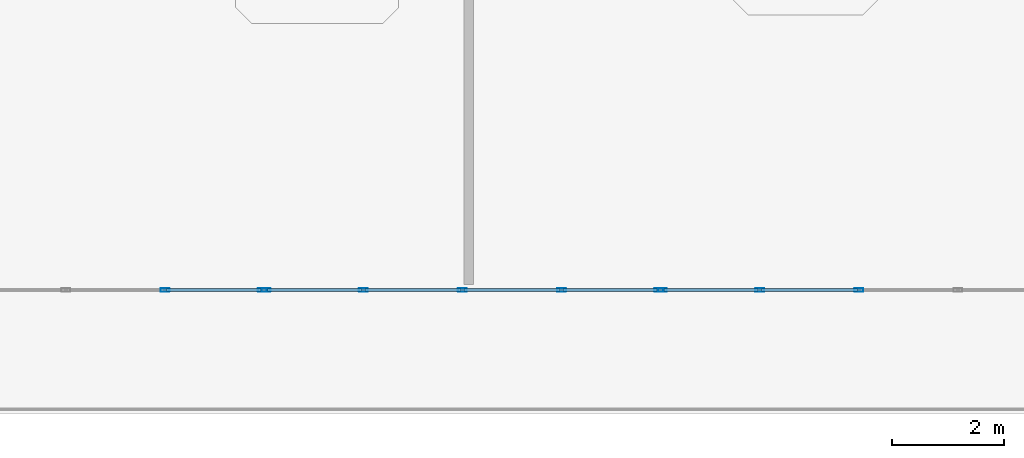
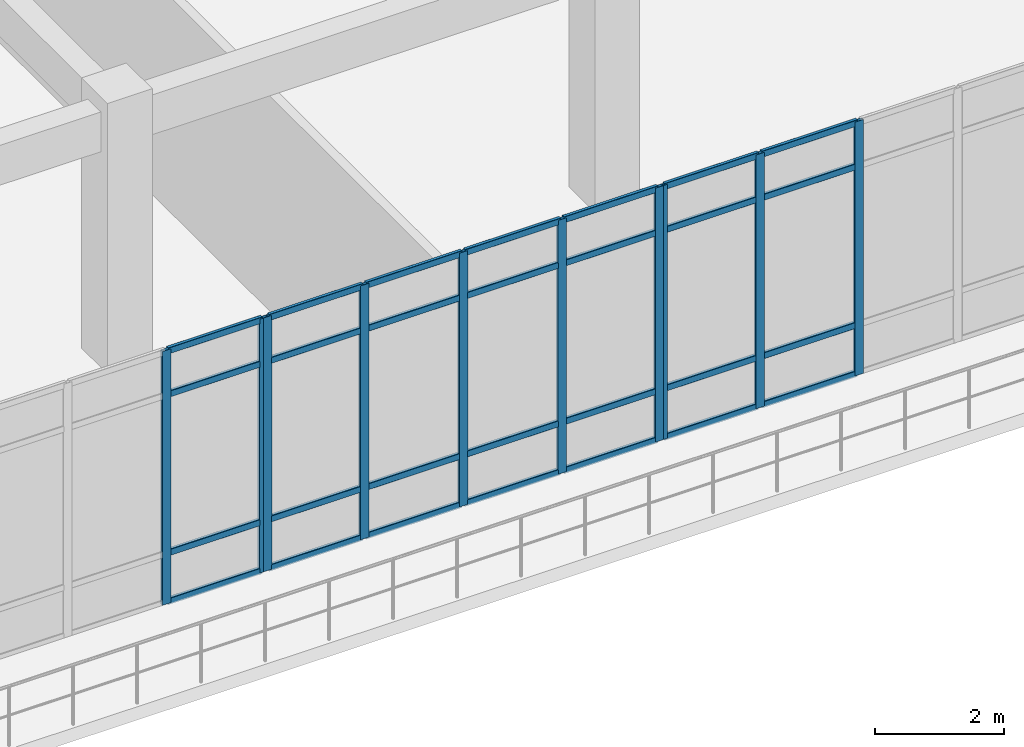
# One storey, part 10 of 124: 38 members, 3 elements without a shape of their own.
"""IFC4 building model written with IfcOpenShell, lengths in metres."""

from ifc_helpers import new_model, si_unit, derived_unit, direction, frame, origin, origin_2d, place, context, subcontext, project, spatial, hollow_rectangle, extrude, material, layer, layer_set, material_profile, profile_set, type_object, element, aggregate, save


model = new_model("IFC4")

# Units and contexts
model_context = context("Model", 3, precision=1e-05, world=origin(), true_north=direction((0.0, 1.0)))
body_context = subcontext(model_context, "Body", "Model", "MODEL_VIEW")
ifc_project = project(units=[si_unit("LENGTHUNIT", "METRE"), si_unit("AREAUNIT", "SQUARE_METRE"), si_unit("VOLUMEUNIT", "CUBIC_METRE"), si_unit("PLANEANGLEUNIT", "RADIAN"), si_unit("MASSUNIT", "GRAM", prefix="KILO"), derived_unit("THERMALTRANSMITTANCEUNIT", [(si_unit("MASSUNIT", "GRAM", prefix="KILO"), 1), (si_unit("TIMEUNIT", "SECOND"), -3), (si_unit("THERMODYNAMICTEMPERATUREUNIT", "KELVIN"), -1)])], contexts=[model_context])

# Site, building, storey
site_placement = place(None, origin())
site = spatial("IfcSite", under=ifc_project, at=site_placement, CompositionType="ELEMENT")
building_placement = place(site_placement, origin())
building = spatial("IfcBuilding", under=site, at=building_placement, Name="Qinzheling Arcade Emporium", CompositionType="ELEMENT")
storey_placement = place(building_placement, frame((0.0, 0.0, 16.5)))
storey = spatial("IfcBuildingStorey", under=building, at=storey_placement, Name="L04", CompositionType="ELEMENT", Elevation=16.5)

# Curtain wall, members
ifc_material_1 = material(Name="Anodised aluminium and solar-control double glazing", Category="aluminium")
ifc_layer = layer(ifc_material_1, 0.159912109375, Name="Anodised aluminium and solar-control double glazing", Category="aluminium")
ifc_layer_set = layer_set([ifc_layer], Name="Anodised aluminium and solar-control double glazing")
curtain_wall_type = type_object("IfcCurtainWallType", Name="Arcade Portal Glazed Curtain Wall", PredefinedType="NOTDEFINED", material=ifc_layer_set)
curtain_wall_1_placement = place(storey_placement, origin())
curtain_wall_1 = element("IfcCurtainWall", 1, at=curtain_wall_1_placement, inside=storey, type_object=curtain_wall_type, Name="Curtain Wall CW-L04-222", PredefinedType="NOTDEFINED")
ifc_material_2 = material(Name="Anodised aluminium 6063-T6", Category="aluminium")
ifc_material_profile_1 = material_profile(ifc_material_2, hollow_rectangle(XDim=0.06005859375, YDim=0.159912109375, WallThickness=0.00390625, InnerFilletRadius=0.00390625, OuterFilletRadius=0.008056640625, at=origin_2d()), Name="RHS 160x60x4", Category="aluminium")
ifc_profile_set_1 = profile_set([ifc_material_profile_1], Name="Anodised aluminium 6063-T6")
member_type_1 = type_object("IfcMemberType", Name="Curtain Wall Mullion RHS160x60", PredefinedType="MULLION", material=ifc_profile_set_1)
member_1_placement = place(storey_placement, frame((44.449951171875, 2.199951171875, 0.0), z_axis=(0.0, 0.0, 1.0), x_axis=(0.0, -1.0, 0.0)))
member_1 = element("IfcMember", 2, at=member_1_placement, type_object=member_type_1, Name="CW05 mullion 3", PredefinedType="MULLION", context=body_context, shape_type="SweptSolid", body=[
    extrude(hollow_rectangle(XDim=0.06005859375, YDim=0.159912109375, WallThickness=0.00390625, InnerFilletRadius=0.00390625, OuterFilletRadius=0.008056640625, at=origin_2d()), origin(), (0.0, 0.0, 1.0), 4.7900390625),
])
member_2_placement = place(storey_placement, frame((42.68603515625, 2.199951171875, 0.0), z_axis=(0.0, 0.0, 1.0), x_axis=(0.0, -1.0, 0.0)))
member_2 = element("IfcMember", 3, at=member_2_placement, type_object=member_type_1, Name="CW05 mullion 4", PredefinedType="MULLION", context=body_context, shape_type="SweptSolid", body=[
    extrude(hollow_rectangle(XDim=0.06005859375, YDim=0.159912109375, WallThickness=0.00390625, InnerFilletRadius=0.00390625, OuterFilletRadius=0.008056640625, at=origin_2d()), origin(), (0.0, 0.0, 1.0), 4.7900390625),
])
member_3_placement = place(storey_placement, frame((40.951904296875, 2.199951171875, 0.0), z_axis=(0.0, 0.0, 1.0), x_axis=(0.0, -1.0, 0.0)))
member_3 = element("IfcMember", 4, at=member_3_placement, type_object=member_type_1, Name="CW05 mullion 5", PredefinedType="MULLION", context=body_context, shape_type="SweptSolid", body=[
    extrude(hollow_rectangle(XDim=0.06005859375, YDim=0.159912109375, WallThickness=0.00390625, InnerFilletRadius=0.00390625, OuterFilletRadius=0.008056640625, at=origin_2d()), origin(), (0.0, 0.0, 1.0), 4.7900390625),
])

curtain_wall_2_placement = place(storey_placement, origin())
curtain_wall_2 = element("IfcCurtainWall", 5, at=curtain_wall_2_placement, inside=storey, type_object=curtain_wall_type, Name="Curtain Wall CW-L04-223", PredefinedType="NOTDEFINED")
member_4_placement = place(storey_placement, frame((40.887939453125, 2.199951171875, 0.0), z_axis=(0.0, 0.0, 1.0), x_axis=(0.0, -1.0, 0.0)))
member_4 = element("IfcMember", 6, at=member_4_placement, type_object=member_type_1, Name="CW05 mullion 1", PredefinedType="MULLION", context=body_context, shape_type="SweptSolid", body=[
    extrude(hollow_rectangle(XDim=0.06005859375, YDim=0.159912109375, WallThickness=0.00390625, InnerFilletRadius=0.00390625, OuterFilletRadius=0.008056640625, at=origin_2d()), origin(), (0.0, 0.0, 1.0), 4.7900390625),
])
member_5_placement = place(storey_placement, frame((39.154052734375, 2.199951171875, 0.0), z_axis=(0.0, 0.0, 1.0), x_axis=(0.0, -1.0, 0.0)))
member_5 = element("IfcMember", 7, at=member_5_placement, type_object=member_type_1, Name="CW05 mullion 2", PredefinedType="MULLION", context=body_context, shape_type="SweptSolid", body=[
    extrude(hollow_rectangle(XDim=0.06005859375, YDim=0.159912109375, WallThickness=0.00390625, InnerFilletRadius=0.00390625, OuterFilletRadius=0.008056640625, at=origin_2d()), origin(), (0.0, 0.0, 1.0), 4.7900390625),
])
member_6_placement = place(storey_placement, frame((37.389892578125, 2.199951171875, 0.0), z_axis=(0.0, 0.0, 1.0), x_axis=(0.0, -1.0, 0.0)))
member_6 = element("IfcMember", 8, at=member_6_placement, type_object=member_type_1, Name="CW05 mullion 3", PredefinedType="MULLION", context=body_context, shape_type="SweptSolid", body=[
    extrude(hollow_rectangle(XDim=0.06005859375, YDim=0.159912109375, WallThickness=0.00390625, InnerFilletRadius=0.00390625, OuterFilletRadius=0.008056640625, at=origin_2d()), origin(), (0.0, 0.0, 1.0), 4.7900390625),
])
member_7_placement = place(storey_placement, frame((35.6259765625, 2.199951171875, 0.0), z_axis=(0.0, 0.0, 1.0), x_axis=(0.0, -1.0, 0.0)))
member_7 = element("IfcMember", 9, at=member_7_placement, type_object=member_type_1, Name="CW05 mullion 4", PredefinedType="MULLION", context=body_context, shape_type="SweptSolid", body=[
    extrude(hollow_rectangle(XDim=0.06005859375, YDim=0.159912109375, WallThickness=0.00390625, InnerFilletRadius=0.00390625, OuterFilletRadius=0.008056640625, at=origin_2d()), origin(), (0.0, 0.0, 1.0), 4.7900390625),
])
member_8_placement = place(storey_placement, frame((33.89208984375, 2.199951171875, 0.0), z_axis=(0.0, 0.0, 1.0), x_axis=(0.0, -1.0, 0.0)))
member_8 = element("IfcMember", 10, at=member_8_placement, type_object=member_type_1, Name="CW05 mullion 5", PredefinedType="MULLION", context=body_context, shape_type="SweptSolid", body=[
    extrude(hollow_rectangle(XDim=0.06005859375, YDim=0.159912109375, WallThickness=0.00390625, InnerFilletRadius=0.00390625, OuterFilletRadius=0.008056640625, at=origin_2d()), origin(), (0.0, 0.0, 1.0), 4.7900390625),
])

curtain_wall_3_placement = place(storey_placement, origin())
curtain_wall_3 = element("IfcCurtainWall", 11, at=curtain_wall_3_placement, inside=storey, type_object=curtain_wall_type, Name="Curtain Wall CW-L04-224", PredefinedType="NOTDEFINED")
member_9_placement = place(storey_placement, frame((33.827880859375, 2.199951171875, 0.0), z_axis=(0.0, 0.0, 1.0), x_axis=(0.0, -1.0, 0.0)))
member_9 = element("IfcMember", 12, at=member_9_placement, type_object=member_type_1, Name="CW05 mullion 1", PredefinedType="MULLION", context=body_context, shape_type="SweptSolid", body=[
    extrude(hollow_rectangle(XDim=0.06005859375, YDim=0.159912109375, WallThickness=0.00390625, InnerFilletRadius=0.00390625, OuterFilletRadius=0.008056640625, at=origin_2d()), origin(), (0.0, 0.0, 1.0), 4.7900390625),
])
member_10_placement = place(storey_placement, frame((32.093505859375, 2.199951171875, 0.0), z_axis=(0.0, 0.0, 1.0), x_axis=(0.0, -1.0, 0.0)))
member_10 = element("IfcMember", 13, at=member_10_placement, type_object=member_type_1, Name="CW05 mullion 2", PredefinedType="MULLION", context=body_context, shape_type="SweptSolid", body=[
    extrude(hollow_rectangle(XDim=0.06005859375, YDim=0.159912109375, WallThickness=0.00390625, InnerFilletRadius=0.00390625, OuterFilletRadius=0.008056640625, at=origin_2d()), origin(), (0.0, 0.0, 1.0), 4.7900390625),
])

# Member
ifc_material_profile_2 = material_profile(ifc_material_2, hollow_rectangle(XDim=0.06005859375, YDim=0.1201171875, WallThickness=0.00390625, InnerFilletRadius=0.00390625, OuterFilletRadius=0.008056640625, at=origin_2d()), Name="RHS 120x60x4", Category="aluminium")
ifc_profile_set_2 = profile_set([ifc_material_profile_2], Name="Anodised aluminium 6063-T6")
member_type_2 = type_object("IfcMemberType", Name="Curtain Wall Transom RHS120x60", PredefinedType="USERDEFINED", material=ifc_profile_set_2)
member_11_placement = place(storey_placement, frame((44.419921875, 2.199951171875, 0.030029296875), z_axis=(-1.0, 0.0, 0.0), x_axis=(0.0, -1.0, 0.0)))
member_11 = element("IfcMember", 14, at=member_11_placement, type_object=member_type_2, Name="CW05 transom 3.1", ObjectType="TRANSOM", PredefinedType="USERDEFINED", context=body_context, shape_type="SweptSolid", body=[
    extrude(hollow_rectangle(XDim=0.06005859375, YDim=0.1201171875, WallThickness=0.00390625, InnerFilletRadius=0.00390625, OuterFilletRadius=0.008056640625, at=origin_2d()), origin(), (0.0, 0.0, 1.0), 1.703857421875),
])

member_12_placement = place(storey_placement, frame((44.419921875, 2.199951171875, 0.949951171875), z_axis=(-1.0, 0.0, 0.0), x_axis=(0.0, -1.0, 0.0)))
member_12 = element("IfcMember", 15, at=member_12_placement, type_object=member_type_2, Name="CW05 transom 3.2", ObjectType="TRANSOM", PredefinedType="USERDEFINED", context=body_context, shape_type="SweptSolid", body=[
    extrude(hollow_rectangle(XDim=0.06005859375, YDim=0.1201171875, WallThickness=0.00390625, InnerFilletRadius=0.00390625, OuterFilletRadius=0.008056640625, at=origin_2d()), origin(), (0.0, 0.0, 1.0), 1.703857421875),
])

member_13_placement = place(storey_placement, frame((44.419921875, 2.199951171875, 3.93994140625), z_axis=(-1.0, 0.0, 0.0), x_axis=(0.0, -1.0, 0.0)))
member_13 = element("IfcMember", 16, at=member_13_placement, type_object=member_type_2, Name="CW05 transom 3.3", ObjectType="TRANSOM", PredefinedType="USERDEFINED", context=body_context, shape_type="SweptSolid", body=[
    extrude(hollow_rectangle(XDim=0.06005859375, YDim=0.1201171875, WallThickness=0.00390625, InnerFilletRadius=0.00390625, OuterFilletRadius=0.008056640625, at=origin_2d()), origin(), (0.0, 0.0, 1.0), 1.703857421875),
])

member_14_placement = place(storey_placement, frame((44.419921875, 2.199951171875, 4.760009765625), z_axis=(-1.0, 0.0, 0.0), x_axis=(0.0, -1.0, 0.0)))
member_14 = element("IfcMember", 17, at=member_14_placement, type_object=member_type_2, Name="CW05 transom 3.4", ObjectType="TRANSOM", PredefinedType="USERDEFINED", context=body_context, shape_type="SweptSolid", body=[
    extrude(hollow_rectangle(XDim=0.06005859375, YDim=0.1201171875, WallThickness=0.00390625, InnerFilletRadius=0.00390625, OuterFilletRadius=0.008056640625, at=origin_2d()), origin(), (0.0, 0.0, 1.0), 1.703857421875),
])

member_15_placement = place(storey_placement, frame((42.656005859375, 2.199951171875, 0.030029296875), z_axis=(-1.0, 0.0, 0.0), x_axis=(0.0, -1.0, 0.0)))
member_15 = element("IfcMember", 18, at=member_15_placement, type_object=member_type_2, Name="CW05 transom 4.1", ObjectType="TRANSOM", PredefinedType="USERDEFINED", context=body_context, shape_type="SweptSolid", body=[
    extrude(hollow_rectangle(XDim=0.06005859375, YDim=0.1201171875, WallThickness=0.00390625, InnerFilletRadius=0.00390625, OuterFilletRadius=0.008056640625, at=origin_2d()), origin(), (0.0, 0.0, 1.0), 1.674072265625),
])

member_16_placement = place(storey_placement, frame((42.656005859375, 2.199951171875, 0.949951171875), z_axis=(-1.0, 0.0, 0.0), x_axis=(0.0, -1.0, 0.0)))
member_16 = element("IfcMember", 19, at=member_16_placement, type_object=member_type_2, Name="CW05 transom 4.2", ObjectType="TRANSOM", PredefinedType="USERDEFINED", context=body_context, shape_type="SweptSolid", body=[
    extrude(hollow_rectangle(XDim=0.06005859375, YDim=0.1201171875, WallThickness=0.00390625, InnerFilletRadius=0.00390625, OuterFilletRadius=0.008056640625, at=origin_2d()), origin(), (0.0, 0.0, 1.0), 1.674072265625),
])

member_17_placement = place(storey_placement, frame((42.656005859375, 2.199951171875, 3.93994140625), z_axis=(-1.0, 0.0, 0.0), x_axis=(0.0, -1.0, 0.0)))
member_17 = element("IfcMember", 20, at=member_17_placement, type_object=member_type_2, Name="CW05 transom 4.3", ObjectType="TRANSOM", PredefinedType="USERDEFINED", context=body_context, shape_type="SweptSolid", body=[
    extrude(hollow_rectangle(XDim=0.06005859375, YDim=0.1201171875, WallThickness=0.00390625, InnerFilletRadius=0.00390625, OuterFilletRadius=0.008056640625, at=origin_2d()), origin(), (0.0, 0.0, 1.0), 1.674072265625),
])

member_18_placement = place(storey_placement, frame((42.656005859375, 2.199951171875, 4.760009765625), z_axis=(-1.0, 0.0, 0.0), x_axis=(0.0, -1.0, 0.0)))
member_18 = element("IfcMember", 21, at=member_18_placement, type_object=member_type_2, Name="CW05 transom 4.4", ObjectType="TRANSOM", PredefinedType="USERDEFINED", context=body_context, shape_type="SweptSolid", body=[
    extrude(hollow_rectangle(XDim=0.06005859375, YDim=0.1201171875, WallThickness=0.00390625, InnerFilletRadius=0.00390625, OuterFilletRadius=0.008056640625, at=origin_2d()), origin(), (0.0, 0.0, 1.0), 1.674072265625),
])

aggregate(curtain_wall_1, [member_1, member_2, member_3, member_11, member_12, member_13, member_14, member_15, member_16, member_17, member_18])

member_19_placement = place(storey_placement, frame((40.85791015625, 2.199951171875, 0.030029296875), z_axis=(-1.0, 0.0, 0.0), x_axis=(0.0, -1.0, 0.0)))
member_19 = element("IfcMember", 22, at=member_19_placement, type_object=member_type_2, Name="CW05 transom 1.1", ObjectType="TRANSOM", PredefinedType="USERDEFINED", context=body_context, shape_type="SweptSolid", body=[
    extrude(hollow_rectangle(XDim=0.06005859375, YDim=0.1201171875, WallThickness=0.00390625, InnerFilletRadius=0.00390625, OuterFilletRadius=0.008056640625, at=origin_2d()), origin(), (0.0, 0.0, 1.0), 1.673828125),
])

member_20_placement = place(storey_placement, frame((40.85791015625, 2.199951171875, 0.949951171875), z_axis=(-1.0, 0.0, 0.0), x_axis=(0.0, -1.0, 0.0)))
member_20 = element("IfcMember", 23, at=member_20_placement, type_object=member_type_2, Name="CW05 transom 1.2", ObjectType="TRANSOM", PredefinedType="USERDEFINED", context=body_context, shape_type="SweptSolid", body=[
    extrude(hollow_rectangle(XDim=0.06005859375, YDim=0.1201171875, WallThickness=0.00390625, InnerFilletRadius=0.00390625, OuterFilletRadius=0.008056640625, at=origin_2d()), origin(), (0.0, 0.0, 1.0), 1.673828125),
])

member_21_placement = place(storey_placement, frame((40.85791015625, 2.199951171875, 3.93994140625), z_axis=(-1.0, 0.0, 0.0), x_axis=(0.0, -1.0, 0.0)))
member_21 = element("IfcMember", 24, at=member_21_placement, type_object=member_type_2, Name="CW05 transom 1.3", ObjectType="TRANSOM", PredefinedType="USERDEFINED", context=body_context, shape_type="SweptSolid", body=[
    extrude(hollow_rectangle(XDim=0.06005859375, YDim=0.1201171875, WallThickness=0.00390625, InnerFilletRadius=0.00390625, OuterFilletRadius=0.008056640625, at=origin_2d()), origin(), (0.0, 0.0, 1.0), 1.673828125),
])

member_22_placement = place(storey_placement, frame((40.85791015625, 2.199951171875, 4.760009765625), z_axis=(-1.0, 0.0, 0.0), x_axis=(0.0, -1.0, 0.0)))
member_22 = element("IfcMember", 25, at=member_22_placement, type_object=member_type_2, Name="CW05 transom 1.4", ObjectType="TRANSOM", PredefinedType="USERDEFINED", context=body_context, shape_type="SweptSolid", body=[
    extrude(hollow_rectangle(XDim=0.06005859375, YDim=0.1201171875, WallThickness=0.00390625, InnerFilletRadius=0.00390625, OuterFilletRadius=0.008056640625, at=origin_2d()), origin(), (0.0, 0.0, 1.0), 1.673828125),
])

member_23_placement = place(storey_placement, frame((39.1240234375, 2.199951171875, 0.030029296875), z_axis=(-1.0, 0.0, 0.0), x_axis=(0.0, -1.0, 0.0)))
member_23 = element("IfcMember", 26, at=member_23_placement, type_object=member_type_2, Name="CW05 transom 2.1", ObjectType="TRANSOM", PredefinedType="USERDEFINED", context=body_context, shape_type="SweptSolid", body=[
    extrude(hollow_rectangle(XDim=0.06005859375, YDim=0.1201171875, WallThickness=0.00390625, InnerFilletRadius=0.00390625, OuterFilletRadius=0.008056640625, at=origin_2d()), origin(), (0.0, 0.0, 1.0), 1.7041015625),
])

member_24_placement = place(storey_placement, frame((39.1240234375, 2.199951171875, 0.949951171875), z_axis=(-1.0, 0.0, 0.0), x_axis=(0.0, -1.0, 0.0)))
member_24 = element("IfcMember", 27, at=member_24_placement, type_object=member_type_2, Name="CW05 transom 2.2", ObjectType="TRANSOM", PredefinedType="USERDEFINED", context=body_context, shape_type="SweptSolid", body=[
    extrude(hollow_rectangle(XDim=0.06005859375, YDim=0.1201171875, WallThickness=0.00390625, InnerFilletRadius=0.00390625, OuterFilletRadius=0.008056640625, at=origin_2d()), origin(), (0.0, 0.0, 1.0), 1.7041015625),
])

member_25_placement = place(storey_placement, frame((39.1240234375, 2.199951171875, 3.93994140625), z_axis=(-1.0, 0.0, 0.0), x_axis=(0.0, -1.0, 0.0)))
member_25 = element("IfcMember", 28, at=member_25_placement, type_object=member_type_2, Name="CW05 transom 2.3", ObjectType="TRANSOM", PredefinedType="USERDEFINED", context=body_context, shape_type="SweptSolid", body=[
    extrude(hollow_rectangle(XDim=0.06005859375, YDim=0.1201171875, WallThickness=0.00390625, InnerFilletRadius=0.00390625, OuterFilletRadius=0.008056640625, at=origin_2d()), origin(), (0.0, 0.0, 1.0), 1.7041015625),
])

member_26_placement = place(storey_placement, frame((39.1240234375, 2.199951171875, 4.760009765625), z_axis=(-1.0, 0.0, 0.0), x_axis=(0.0, -1.0, 0.0)))
member_26 = element("IfcMember", 29, at=member_26_placement, type_object=member_type_2, Name="CW05 transom 2.4", ObjectType="TRANSOM", PredefinedType="USERDEFINED", context=body_context, shape_type="SweptSolid", body=[
    extrude(hollow_rectangle(XDim=0.06005859375, YDim=0.1201171875, WallThickness=0.00390625, InnerFilletRadius=0.00390625, OuterFilletRadius=0.008056640625, at=origin_2d()), origin(), (0.0, 0.0, 1.0), 1.7041015625),
])

member_27_placement = place(storey_placement, frame((37.360107421875, 2.199951171875, 0.030029296875), z_axis=(-1.0, 0.0, 0.0), x_axis=(0.0, -1.0, 0.0)))
member_27 = element("IfcMember", 30, at=member_27_placement, type_object=member_type_2, Name="CW05 transom 3.1", ObjectType="TRANSOM", PredefinedType="USERDEFINED", context=body_context, shape_type="SweptSolid", body=[
    extrude(hollow_rectangle(XDim=0.06005859375, YDim=0.1201171875, WallThickness=0.00390625, InnerFilletRadius=0.00390625, OuterFilletRadius=0.008056640625, at=origin_2d()), origin(), (0.0, 0.0, 1.0), 1.7041015625),
])

member_28_placement = place(storey_placement, frame((37.360107421875, 2.199951171875, 0.949951171875), z_axis=(-1.0, 0.0, 0.0), x_axis=(0.0, -1.0, 0.0)))
member_28 = element("IfcMember", 31, at=member_28_placement, type_object=member_type_2, Name="CW05 transom 3.2", ObjectType="TRANSOM", PredefinedType="USERDEFINED", context=body_context, shape_type="SweptSolid", body=[
    extrude(hollow_rectangle(XDim=0.06005859375, YDim=0.1201171875, WallThickness=0.00390625, InnerFilletRadius=0.00390625, OuterFilletRadius=0.008056640625, at=origin_2d()), origin(), (0.0, 0.0, 1.0), 1.7041015625),
])

member_29_placement = place(storey_placement, frame((37.360107421875, 2.199951171875, 3.93994140625), z_axis=(-1.0, 0.0, 0.0), x_axis=(0.0, -1.0, 0.0)))
member_29 = element("IfcMember", 32, at=member_29_placement, type_object=member_type_2, Name="CW05 transom 3.3", ObjectType="TRANSOM", PredefinedType="USERDEFINED", context=body_context, shape_type="SweptSolid", body=[
    extrude(hollow_rectangle(XDim=0.06005859375, YDim=0.1201171875, WallThickness=0.00390625, InnerFilletRadius=0.00390625, OuterFilletRadius=0.008056640625, at=origin_2d()), origin(), (0.0, 0.0, 1.0), 1.7041015625),
])

member_30_placement = place(storey_placement, frame((37.360107421875, 2.199951171875, 4.760009765625), z_axis=(-1.0, 0.0, 0.0), x_axis=(0.0, -1.0, 0.0)))
member_30 = element("IfcMember", 33, at=member_30_placement, type_object=member_type_2, Name="CW05 transom 3.4", ObjectType="TRANSOM", PredefinedType="USERDEFINED", context=body_context, shape_type="SweptSolid", body=[
    extrude(hollow_rectangle(XDim=0.06005859375, YDim=0.1201171875, WallThickness=0.00390625, InnerFilletRadius=0.00390625, OuterFilletRadius=0.008056640625, at=origin_2d()), origin(), (0.0, 0.0, 1.0), 1.7041015625),
])

member_31_placement = place(storey_placement, frame((35.595947265625, 2.199951171875, 0.030029296875), z_axis=(-1.0, 0.0, 0.0), x_axis=(0.0, -1.0, 0.0)))
member_31 = element("IfcMember", 34, at=member_31_placement, type_object=member_type_2, Name="CW05 transom 4.1", ObjectType="TRANSOM", PredefinedType="USERDEFINED", context=body_context, shape_type="SweptSolid", body=[
    extrude(hollow_rectangle(XDim=0.06005859375, YDim=0.1201171875, WallThickness=0.00390625, InnerFilletRadius=0.00390625, OuterFilletRadius=0.008056640625, at=origin_2d()), origin(), (0.0, 0.0, 1.0), 1.673828125),
])

member_32_placement = place(storey_placement, frame((35.595947265625, 2.199951171875, 0.949951171875), z_axis=(-1.0, 0.0, 0.0), x_axis=(0.0, -1.0, 0.0)))
member_32 = element("IfcMember", 35, at=member_32_placement, type_object=member_type_2, Name="CW05 transom 4.2", ObjectType="TRANSOM", PredefinedType="USERDEFINED", context=body_context, shape_type="SweptSolid", body=[
    extrude(hollow_rectangle(XDim=0.06005859375, YDim=0.1201171875, WallThickness=0.00390625, InnerFilletRadius=0.00390625, OuterFilletRadius=0.008056640625, at=origin_2d()), origin(), (0.0, 0.0, 1.0), 1.673828125),
])

member_33_placement = place(storey_placement, frame((35.595947265625, 2.199951171875, 3.93994140625), z_axis=(-1.0, 0.0, 0.0), x_axis=(0.0, -1.0, 0.0)))
member_33 = element("IfcMember", 36, at=member_33_placement, type_object=member_type_2, Name="CW05 transom 4.3", ObjectType="TRANSOM", PredefinedType="USERDEFINED", context=body_context, shape_type="SweptSolid", body=[
    extrude(hollow_rectangle(XDim=0.06005859375, YDim=0.1201171875, WallThickness=0.00390625, InnerFilletRadius=0.00390625, OuterFilletRadius=0.008056640625, at=origin_2d()), origin(), (0.0, 0.0, 1.0), 1.673828125),
])

member_34_placement = place(storey_placement, frame((35.595947265625, 2.199951171875, 4.760009765625), z_axis=(-1.0, 0.0, 0.0), x_axis=(0.0, -1.0, 0.0)))
member_34 = element("IfcMember", 37, at=member_34_placement, type_object=member_type_2, Name="CW05 transom 4.4", ObjectType="TRANSOM", PredefinedType="USERDEFINED", context=body_context, shape_type="SweptSolid", body=[
    extrude(hollow_rectangle(XDim=0.06005859375, YDim=0.1201171875, WallThickness=0.00390625, InnerFilletRadius=0.00390625, OuterFilletRadius=0.008056640625, at=origin_2d()), origin(), (0.0, 0.0, 1.0), 1.673828125),
])

aggregate(curtain_wall_2, [member_4, member_5, member_6, member_7, member_8, member_19, member_20, member_21, member_22, member_23, member_24, member_25, member_26, member_27, member_28, member_29, member_30, member_31, member_32, member_33, member_34])

member_35_placement = place(storey_placement, frame((33.798095703125, 2.199951171875, 0.030029296875), z_axis=(-1.0, 0.0, 0.0), x_axis=(0.0, -1.0, 0.0)))
member_35 = element("IfcMember", 38, at=member_35_placement, type_object=member_type_2, Name="CW05 transom 1.1", ObjectType="TRANSOM", PredefinedType="USERDEFINED", context=body_context, shape_type="SweptSolid", body=[
    extrude(hollow_rectangle(XDim=0.06005859375, YDim=0.1201171875, WallThickness=0.00390625, InnerFilletRadius=0.00390625, OuterFilletRadius=0.008056640625, at=origin_2d()), origin(), (0.0, 0.0, 1.0), 1.674560546875),
])

member_36_placement = place(storey_placement, frame((33.798095703125, 2.199951171875, 0.949951171875), z_axis=(-1.0, 0.0, 0.0), x_axis=(0.0, -1.0, 0.0)))
member_36 = element("IfcMember", 39, at=member_36_placement, type_object=member_type_2, Name="CW05 transom 1.2", ObjectType="TRANSOM", PredefinedType="USERDEFINED", context=body_context, shape_type="SweptSolid", body=[
    extrude(hollow_rectangle(XDim=0.06005859375, YDim=0.1201171875, WallThickness=0.00390625, InnerFilletRadius=0.00390625, OuterFilletRadius=0.008056640625, at=origin_2d()), origin(), (0.0, 0.0, 1.0), 1.674560546875),
])

member_37_placement = place(storey_placement, frame((33.798095703125, 2.199951171875, 3.93994140625), z_axis=(-1.0, 0.0, 0.0), x_axis=(0.0, -1.0, 0.0)))
member_37 = element("IfcMember", 40, at=member_37_placement, type_object=member_type_2, Name="CW05 transom 1.3", ObjectType="TRANSOM", PredefinedType="USERDEFINED", context=body_context, shape_type="SweptSolid", body=[
    extrude(hollow_rectangle(XDim=0.06005859375, YDim=0.1201171875, WallThickness=0.00390625, InnerFilletRadius=0.00390625, OuterFilletRadius=0.008056640625, at=origin_2d()), origin(), (0.0, 0.0, 1.0), 1.674560546875),
])

member_38_placement = place(storey_placement, frame((33.798095703125, 2.199951171875, 4.760009765625), z_axis=(-1.0, 0.0, 0.0), x_axis=(0.0, -1.0, 0.0)))
member_38 = element("IfcMember", 41, at=member_38_placement, type_object=member_type_2, Name="CW05 transom 1.4", ObjectType="TRANSOM", PredefinedType="USERDEFINED", context=body_context, shape_type="SweptSolid", body=[
    extrude(hollow_rectangle(XDim=0.06005859375, YDim=0.1201171875, WallThickness=0.00390625, InnerFilletRadius=0.00390625, OuterFilletRadius=0.008056640625, at=origin_2d()), origin(), (0.0, 0.0, 1.0), 1.674560546875),
])

aggregate(curtain_wall_3, [member_9, member_10, member_35, member_36, member_37, member_38])

save(model, "model.ifc")
